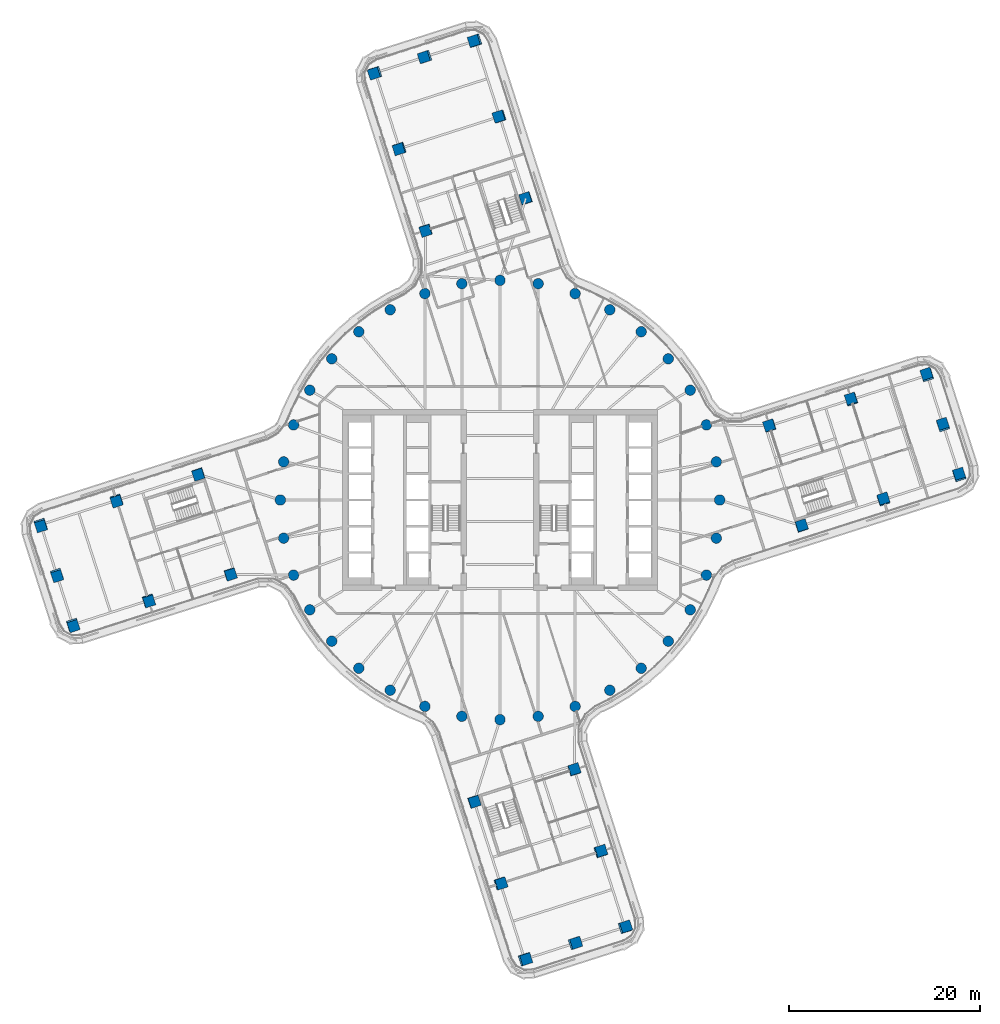
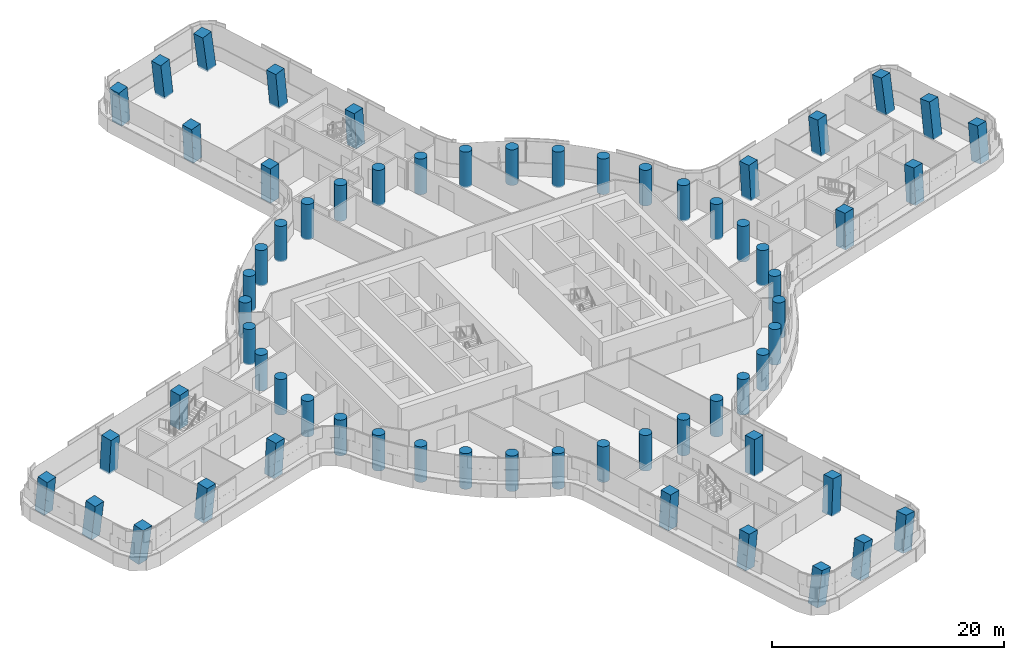
# One storey, part 1 of 30: 64 columns.
"""IFC4 building model written with IfcOpenShell, lengths in metres."""

from ifc_helpers import new_model, si_unit, direction, frame, origin, origin_2d, place, context, subcontext, project, spatial, rectangle, circle, extrude, material, material_profile, profile_set, type_object, element, save


model = new_model("IFC4")

# Units and contexts
model_context = context("Model", 3, precision=1e-05, world=origin(), true_north=direction((0.0, 1.0)))
body_context = subcontext(model_context, "Body", "Model", "MODEL_VIEW")
ifc_project = project(units=[si_unit("LENGTHUNIT", "METRE"), si_unit("AREAUNIT", "SQUARE_METRE"), si_unit("VOLUMEUNIT", "CUBIC_METRE"), si_unit("PLANEANGLEUNIT", "RADIAN"), si_unit("MASSUNIT", "GRAM", prefix="KILO")], contexts=[model_context])

# Site, building, storey
site_placement = place(None, origin())
site = spatial("IfcSite", under=ifc_project, at=site_placement, CompositionType="ELEMENT")
building_placement = place(site_placement, origin())
building = spatial("IfcBuilding", under=site, at=building_placement, Name="Tamarind Cross Interchange Tower", CompositionType="ELEMENT")
storey_placement = place(building_placement, frame((0.0, 0.0, 98.5)))
storey = spatial("IfcBuildingStorey", under=building, at=storey_placement, Name="L23", CompositionType="ELEMENT", Elevation=98.5)

# Columns
ifc_material = material(Name="Concrete C65", Category="concrete")
ifc_material_profile_1 = material_profile(ifc_material, rectangle(XDim=1.10009765625, YDim=1.10009765625, at=origin_2d()), Name="RC 1100x1100")
ifc_profile_set_1 = profile_set([ifc_material_profile_1], Name="Concrete C65")
column_type_1 = type_object("IfcColumnType", Name="Column RC 1100x1100 Concrete C65", PredefinedType="COLUMN", material=ifc_profile_set_1)
for number, where, z_axis, x_axis, name in (
    (1, (36.79736328125, 10.515380859375, -0.138427734375), (-0.051536253541, 0.071203111001, 0.996129575685), (0.302506380728, -0.949481128997, 0.083519310928), "Column L23-036"),
    (2, (40.153076171875, 0.039794921875, -0.138427734375), (-0.000973601873, 0.087948702494, 0.996124529278), (-0.952417481059, -0.303695619465, 0.025882667763), "Column L23-037"),
):
    element("IfcColumn", number, at=place(storey_placement, frame(where, z_axis=z_axis, x_axis=x_axis)), inside=storey, type_object=column_type_1, Name=name, PredefinedType="COLUMN", context=body_context, shape_type="SweptSolid", body=[
        extrude(rectangle(XDim=1.10009765625, YDim=1.10009765625, at=origin_2d()), origin(), (0.0, 0.0, 1.0), 3.761474609375),
    ])
for number, where, z_axis, x_axis, name in (
    (3, (28.2265625, 7.769775390625, -0.138671875), (-0.038003532692, 0.029934289449, 0.998829149464), (0.303614210138, -0.951951625767, 0.040081337323), "Column L23-038"),
    (4, (31.582275390625, -2.705810546875, -0.138671875), (0.012689550307, 0.046658500361, 0.998830295725), (-0.951996687527, -0.304972899206, 0.026340798931), "Column L23-039"),
):
    element("IfcColumn", number, at=place(storey_placement, frame(where, z_axis=z_axis, x_axis=x_axis)), inside=storey, type_object=column_type_1, Name=name, PredefinedType="COLUMN", context=body_context, shape_type="SweptSolid", body=[
        extrude(rectangle(XDim=1.10009765625, YDim=1.10009765625, at=origin_2d()), origin(), (0.0, 0.0, 1.0), 3.751708984375),
    ])
column_1_placement = place(storey_placement, frame((48.087890625, 2.58154296875, -0.138427734375), z_axis=(-0.009693597054, 0.127050745382, 0.991848850518), x_axis=(-0.952472915715, -0.30318877391, 0.029528159509)))
element("IfcColumn", 5, at=column_1_placement, inside=storey, type_object=column_type_1, Name="Column L23-040", PredefinedType="COLUMN", context=body_context, shape_type="SweptSolid", body=[
    extrude(rectangle(XDim=1.10009765625, YDim=1.10009765625, at=origin_2d()), origin(), (0.0, 0.0, 1.0), 3.77783203125),
])
column_2_placement = place(storey_placement, frame((46.41015625, 7.8193359375, -0.138671875), z_axis=(-0.034910860449, 0.118761575268, 0.992308883394), x_axis=(-0.952342439685, -0.305016190507, 0.003000184021)))
element("IfcColumn", 6, at=column_2_placement, inside=storey, type_object=column_type_1, Name="Column L23-041", PredefinedType="COLUMN", context=body_context, shape_type="SweptSolid", body=[
    extrude(rectangle(XDim=1.10009765625, YDim=1.10009765625, at=origin_2d()), origin(), (0.0, 0.0, 1.0), 3.7763671875),
])
column_3_placement = place(storey_placement, frame((44.732177734375, 13.05712890625, -0.138671875), z_axis=(-0.060044861014, 0.110459276075, 0.99206520098), x_axis=(0.300949846815, -0.945609067408, 0.123501746296)))
element("IfcColumn", 7, at=column_3_placement, inside=storey, type_object=column_type_1, Name="Column L23-042", PredefinedType="COLUMN", context=body_context, shape_type="SweptSolid", body=[
    extrude(rectangle(XDim=1.10009765625, YDim=1.10009765625, at=origin_2d()), origin(), (0.0, 0.0, 1.0), 3.77734375),
])
for number, where, z_axis, x_axis, name in (
    (8, (-10.515380859375, 36.79736328125, -0.138427734375), (-0.071203111001, -0.051536253541, 0.996129575685), (0.949481128997, 0.302506380728, 0.083519310928), "Column L23-043"),
    (9, (-0.039794921875, 40.153076171875, -0.138427734375), (-0.087948702494, -0.000973601873, 0.996124529278), (0.303695619465, -0.952417481059, 0.025882667763), "Column L23-044"),
):
    element("IfcColumn", number, at=place(storey_placement, frame(where, z_axis=z_axis, x_axis=x_axis)), inside=storey, type_object=column_type_1, Name=name, PredefinedType="COLUMN", context=body_context, shape_type="SweptSolid", body=[
        extrude(rectangle(XDim=1.10009765625, YDim=1.10009765625, at=origin_2d()), origin(), (0.0, 0.0, 1.0), 3.761474609375),
    ])
for number, where, z_axis, x_axis, name in (
    (10, (-7.769775390625, 28.2265625, -0.138671875), (-0.029934289449, -0.038003532692, 0.998829149464), (0.951951625767, 0.303614210138, 0.040081337323), "Column L23-045"),
    (11, (2.705810546875, 31.582275390625, -0.138671875), (-0.046658500361, 0.012689550307, 0.998830295725), (0.304972899206, -0.951996687527, 0.026340798931), "Column L23-046"),
):
    element("IfcColumn", number, at=place(storey_placement, frame(where, z_axis=z_axis, x_axis=x_axis)), inside=storey, type_object=column_type_1, Name=name, PredefinedType="COLUMN", context=body_context, shape_type="SweptSolid", body=[
        extrude(rectangle(XDim=1.10009765625, YDim=1.10009765625, at=origin_2d()), origin(), (0.0, 0.0, 1.0), 3.751708984375),
    ])
column_4_placement = place(storey_placement, frame((-2.58154296875, 48.087890625, -0.138427734375), z_axis=(-0.127050745382, -0.009693597054, 0.991848850518), x_axis=(0.30318877391, -0.952472915715, 0.029528159509)))
element("IfcColumn", 12, at=column_4_placement, inside=storey, type_object=column_type_1, Name="Column L23-047", PredefinedType="COLUMN", context=body_context, shape_type="SweptSolid", body=[
    extrude(rectangle(XDim=1.10009765625, YDim=1.10009765625, at=origin_2d()), origin(), (0.0, 0.0, 1.0), 3.77783203125),
])
column_5_placement = place(storey_placement, frame((-7.8193359375, 46.41015625, -0.138671875), z_axis=(-0.118761575268, -0.034910860449, 0.992308883394), x_axis=(0.305016190507, -0.952342439685, 0.003000184021)))
element("IfcColumn", 13, at=column_5_placement, inside=storey, type_object=column_type_1, Name="Column L23-048", PredefinedType="COLUMN", context=body_context, shape_type="SweptSolid", body=[
    extrude(rectangle(XDim=1.10009765625, YDim=1.10009765625, at=origin_2d()), origin(), (0.0, 0.0, 1.0), 3.7763671875),
])
column_6_placement = place(storey_placement, frame((-13.05712890625, 44.732177734375, -0.138671875), z_axis=(-0.110459276075, -0.060044861014, 0.99206520098), x_axis=(0.945609067408, 0.300949846815, 0.123501746296)))
element("IfcColumn", 14, at=column_6_placement, inside=storey, type_object=column_type_1, Name="Column L23-049", PredefinedType="COLUMN", context=body_context, shape_type="SweptSolid", body=[
    extrude(rectangle(XDim=1.10009765625, YDim=1.10009765625, at=origin_2d()), origin(), (0.0, 0.0, 1.0), 3.77734375),
])
for number, where, z_axis, x_axis, name in (
    (15, (-36.79736328125, -10.515380859375, -0.138427734375), (0.051536253541, -0.071203111001, 0.996129575685), (-0.302506380728, 0.949481128997, 0.083519310928), "Column L23-050"),
    (16, (-40.153076171875, -0.039794921875, -0.138427734375), (0.000973601873, -0.087948702494, 0.996124529278), (0.952417481059, 0.303695619465, 0.025882667763), "Column L23-051"),
):
    element("IfcColumn", number, at=place(storey_placement, frame(where, z_axis=z_axis, x_axis=x_axis)), inside=storey, type_object=column_type_1, Name=name, PredefinedType="COLUMN", context=body_context, shape_type="SweptSolid", body=[
        extrude(rectangle(XDim=1.10009765625, YDim=1.10009765625, at=origin_2d()), origin(), (0.0, 0.0, 1.0), 3.761474609375),
    ])
for number, where, z_axis, x_axis, name in (
    (17, (-28.2265625, -7.769775390625, -0.138671875), (0.038003532692, -0.029934289449, 0.998829149464), (-0.303614210138, 0.951951625767, 0.040081337323), "Column L23-052"),
    (18, (-31.582275390625, 2.705810546875, -0.138671875), (-0.012689550307, -0.046658500361, 0.998830295725), (0.951996687527, 0.304972899206, 0.026340798931), "Column L23-053"),
):
    element("IfcColumn", number, at=place(storey_placement, frame(where, z_axis=z_axis, x_axis=x_axis)), inside=storey, type_object=column_type_1, Name=name, PredefinedType="COLUMN", context=body_context, shape_type="SweptSolid", body=[
        extrude(rectangle(XDim=1.10009765625, YDim=1.10009765625, at=origin_2d()), origin(), (0.0, 0.0, 1.0), 3.751708984375),
    ])
column_7_placement = place(storey_placement, frame((-48.087890625, -2.58154296875, -0.138427734375), z_axis=(0.009693597054, -0.127050745382, 0.991848850518), x_axis=(0.952472915715, 0.30318877391, 0.029528159509)))
element("IfcColumn", 19, at=column_7_placement, inside=storey, type_object=column_type_1, Name="Column L23-054", PredefinedType="COLUMN", context=body_context, shape_type="SweptSolid", body=[
    extrude(rectangle(XDim=1.10009765625, YDim=1.10009765625, at=origin_2d()), origin(), (0.0, 0.0, 1.0), 3.77783203125),
])
column_8_placement = place(storey_placement, frame((-46.41015625, -7.8193359375, -0.138671875), z_axis=(0.034910860449, -0.118761575268, 0.992308883394), x_axis=(0.952342439685, 0.305016190507, 0.003000184021)))
element("IfcColumn", 20, at=column_8_placement, inside=storey, type_object=column_type_1, Name="Column L23-055", PredefinedType="COLUMN", context=body_context, shape_type="SweptSolid", body=[
    extrude(rectangle(XDim=1.10009765625, YDim=1.10009765625, at=origin_2d()), origin(), (0.0, 0.0, 1.0), 3.7763671875),
])
column_9_placement = place(storey_placement, frame((-44.732177734375, -13.05712890625, -0.138671875), z_axis=(0.060044861014, -0.110459276075, 0.99206520098), x_axis=(-0.300949846815, 0.945609067408, 0.123501746296)))
element("IfcColumn", 21, at=column_9_placement, inside=storey, type_object=column_type_1, Name="Column L23-056", PredefinedType="COLUMN", context=body_context, shape_type="SweptSolid", body=[
    extrude(rectangle(XDim=1.10009765625, YDim=1.10009765625, at=origin_2d()), origin(), (0.0, 0.0, 1.0), 3.77734375),
])
for number, where, z_axis, x_axis, name in (
    (22, (10.515380859375, -36.79736328125, -0.138427734375), (0.071203111001, 0.051536253541, 0.996129575685), (-0.949481128997, -0.302506380728, 0.083519310928), "Column L23-057"),
    (23, (0.039794921875, -40.153076171875, -0.138427734375), (0.087948702494, 0.000973601873, 0.996124529278), (-0.303695619465, 0.952417481059, 0.025882667763), "Column L23-058"),
):
    element("IfcColumn", number, at=place(storey_placement, frame(where, z_axis=z_axis, x_axis=x_axis)), inside=storey, type_object=column_type_1, Name=name, PredefinedType="COLUMN", context=body_context, shape_type="SweptSolid", body=[
        extrude(rectangle(XDim=1.10009765625, YDim=1.10009765625, at=origin_2d()), origin(), (0.0, 0.0, 1.0), 3.761474609375),
    ])
for number, where, z_axis, x_axis, name in (
    (24, (7.769775390625, -28.2265625, -0.138671875), (0.029934289449, 0.038003532692, 0.998829149464), (-0.951951625767, -0.303614210138, 0.040081337323), "Column L23-059"),
    (25, (-2.705810546875, -31.582275390625, -0.138671875), (0.046658500361, -0.012689550307, 0.998830295725), (-0.304972899206, 0.951996687527, 0.026340798931), "Column L23-060"),
):
    element("IfcColumn", number, at=place(storey_placement, frame(where, z_axis=z_axis, x_axis=x_axis)), inside=storey, type_object=column_type_1, Name=name, PredefinedType="COLUMN", context=body_context, shape_type="SweptSolid", body=[
        extrude(rectangle(XDim=1.10009765625, YDim=1.10009765625, at=origin_2d()), origin(), (0.0, 0.0, 1.0), 3.751708984375),
    ])
column_10_placement = place(storey_placement, frame((2.58154296875, -48.087890625, -0.138427734375), z_axis=(0.127050745382, 0.009693597054, 0.991848850518), x_axis=(-0.30318877391, 0.952472915715, 0.029528159509)))
element("IfcColumn", 26, at=column_10_placement, inside=storey, type_object=column_type_1, Name="Column L23-061", PredefinedType="COLUMN", context=body_context, shape_type="SweptSolid", body=[
    extrude(rectangle(XDim=1.10009765625, YDim=1.10009765625, at=origin_2d()), origin(), (0.0, 0.0, 1.0), 3.77783203125),
])
column_11_placement = place(storey_placement, frame((7.8193359375, -46.41015625, -0.138671875), z_axis=(0.118761575268, 0.034910860449, 0.992308883394), x_axis=(-0.305016190507, 0.952342439685, 0.003000184021)))
element("IfcColumn", 27, at=column_11_placement, inside=storey, type_object=column_type_1, Name="Column L23-062", PredefinedType="COLUMN", context=body_context, shape_type="SweptSolid", body=[
    extrude(rectangle(XDim=1.10009765625, YDim=1.10009765625, at=origin_2d()), origin(), (0.0, 0.0, 1.0), 3.7763671875),
])
column_12_placement = place(storey_placement, frame((13.05712890625, -44.732177734375, -0.138671875), z_axis=(0.110459276075, 0.060044861014, 0.99206520098), x_axis=(-0.945609067408, -0.300949846815, 0.123501746296)))
element("IfcColumn", 28, at=column_12_placement, inside=storey, type_object=column_type_1, Name="Column L23-063", PredefinedType="COLUMN", context=body_context, shape_type="SweptSolid", body=[
    extrude(rectangle(XDim=1.10009765625, YDim=1.10009765625, at=origin_2d()), origin(), (0.0, 0.0, 1.0), 3.77734375),
])
ifc_material_profile_2 = material_profile(ifc_material, circle(Radius=0.550048828125, at=origin_2d()), Name="RC D1100")
ifc_profile_set_2 = profile_set([ifc_material_profile_2], Name="Concrete C65")
column_type_2 = type_object("IfcColumnType", Name="Column RC D1100 Concrete C65", PredefinedType="COLUMN", material=ifc_profile_set_2)
for number, where, z_axis, x_axis, name in (
    (29, (23.0, 0.0, -0.139892578125), (0.0, 0.0, 1.0), (1.0, 0.0, 0.0), "Column L23-000"),
    (30, (22.650634765625, 3.993896484375, -0.139892578125), (0.0, 0.0, 1.0), (1.0, 0.0, 0.0), "Column L23-001"),
    (31, (21.613037109375, 7.866455078125, -0.139892578125), (0.0, 0.0, 1.0), (1.0, 0.0, 0.0), "Column L23-002"),
    (32, (19.918701171875, 11.5, -0.139892578125), (0.0, 0.0, 1.0), (1.0, 0.0, 0.0), "Column L23-003"),
    (33, (17.619140625, 14.7841796875, -0.139892578125), (0.0, 0.0, 1.0), (1.0, 0.0, 0.0), "Column L23-004"),
    (34, (14.7841796875, 17.619140625, -0.139892578125), (0.0, 0.0, 1.0), (1.0, 0.0, 0.0), "Column L23-005"),
    (35, (11.5, 19.918701171875, -0.139892578125), (0.0, 0.0, 1.0), (1.0, 0.0, 0.0), "Column L23-006"),
    (36, (7.866455078125, 21.613037109375, -0.139892578125), (0.0, 0.0, 1.0), (1.0, 0.0, 0.0), "Column L23-007"),
    (37, (3.993896484375, 22.650634765625, -0.139892578125), (0.0, 0.0, 1.0), (1.0, 0.0, 0.0), "Column L23-008"),
    (38, (0.0, 23.0, -0.139892578125), (0.0, 0.0, 1.0), (1.0, 0.0, 0.0), "Column L23-009"),
    (39, (-3.993896484375, 22.650634765625, -0.139892578125), (0.0, 0.0, 1.0), (1.0, 0.0, 0.0), "Column L23-010"),
    (40, (-7.866455078125, 21.613037109375, -0.139892578125), (0.0, 0.0, 1.0), (1.0, 0.0, 0.0), "Column L23-011"),
    (41, (-11.5, 19.918701171875, -0.139892578125), (0.0, 0.0, 1.0), (1.0, 0.0, 0.0), "Column L23-012"),
    (42, (-14.7841796875, 17.619140625, -0.139892578125), (0.0, 0.0, 1.0), (1.0, 0.0, 0.0), "Column L23-013"),
    (43, (-17.619140625, 14.7841796875, -0.139892578125), (0.0, 0.0, 1.0), (1.0, 0.0, 0.0), "Column L23-014"),
    (44, (-19.918701171875, 11.5, -0.139892578125), (0.0, 0.0, 1.0), (1.0, 0.0, 0.0), "Column L23-015"),
    (45, (-21.613037109375, 7.866455078125, -0.139892578125), (0.0, 0.0, 1.0), (1.0, 0.0, 0.0), "Column L23-016"),
    (46, (-22.650634765625, 3.993896484375, -0.139892578125), (0.0, 0.0, 1.0), (1.0, 0.0, 0.0), "Column L23-017"),
    (47, (-23.0, 0.0, -0.139892578125), (0.0, 0.0, 1.0), (1.0, 0.0, 0.0), "Column L23-018"),
    (48, (-22.650634765625, -3.993896484375, -0.139892578125), (0.0, 0.0, 1.0), (1.0, 0.0, 0.0), "Column L23-019"),
    (49, (-21.613037109375, -7.866455078125, -0.139892578125), (0.0, 0.0, 1.0), (1.0, 0.0, 0.0), "Column L23-020"),
    (50, (-19.918701171875, -11.5, -0.139892578125), (0.0, 0.0, 1.0), (1.0, 0.0, 0.0), "Column L23-021"),
    (51, (-17.619140625, -14.7841796875, -0.139892578125), (0.0, 0.0, 1.0), (1.0, 0.0, 0.0), "Column L23-022"),
    (52, (-14.7841796875, -17.619140625, -0.139892578125), (0.0, 0.0, 1.0), (1.0, 0.0, 0.0), "Column L23-023"),
    (53, (-11.5, -19.918701171875, -0.139892578125), (0.0, 0.0, 1.0), (1.0, 0.0, 0.0), "Column L23-024"),
    (54, (-7.866455078125, -21.613037109375, -0.139892578125), (0.0, 0.0, 1.0), (1.0, 0.0, 0.0), "Column L23-025"),
    (55, (-3.993896484375, -22.650634765625, -0.139892578125), (0.0, 0.0, 1.0), (1.0, 0.0, 0.0), "Column L23-026"),
    (56, (0.0, -23.0, -0.139892578125), (0.0, 0.0, 1.0), (1.0, 0.0, 0.0), "Column L23-027"),
    (57, (3.993896484375, -22.650634765625, -0.139892578125), (0.0, 0.0, 1.0), (1.0, 0.0, 0.0), "Column L23-028"),
    (58, (7.866455078125, -21.613037109375, -0.139892578125), (0.0, 0.0, 1.0), (1.0, 0.0, 0.0), "Column L23-029"),
    (59, (11.5, -19.918701171875, -0.139892578125), (0.0, 0.0, 1.0), (1.0, 0.0, 0.0), "Column L23-030"),
    (60, (14.7841796875, -17.619140625, -0.139892578125), (0.0, 0.0, 1.0), (1.0, 0.0, 0.0), "Column L23-031"),
    (61, (17.619140625, -14.7841796875, -0.139892578125), (0.0, 0.0, 1.0), (1.0, 0.0, 0.0), "Column L23-032"),
    (62, (19.918701171875, -11.5, -0.139892578125), (0.0, 0.0, 1.0), (1.0, 0.0, 0.0), "Column L23-033"),
    (63, (21.613037109375, -7.866455078125, -0.139892578125), (0.0, 0.0, 1.0), (1.0, 0.0, 0.0), "Column L23-034"),
    (64, (22.650634765625, -3.993896484375, -0.139892578125), (0.0, 0.0, 1.0), (1.0, 0.0, 0.0), "Column L23-035"),
):
    element("IfcColumn", number, at=place(storey_placement, frame(where, z_axis=z_axis, x_axis=x_axis)), inside=storey, type_object=column_type_2, Name=name, PredefinedType="COLUMN", context=body_context, shape_type="SweptSolid", body=[
        extrude(circle(Radius=0.550048828125, at=origin_2d()), origin(), (0.0, 0.0, 1.0), 3.75),
    ])

save(model, "model.ifc")
